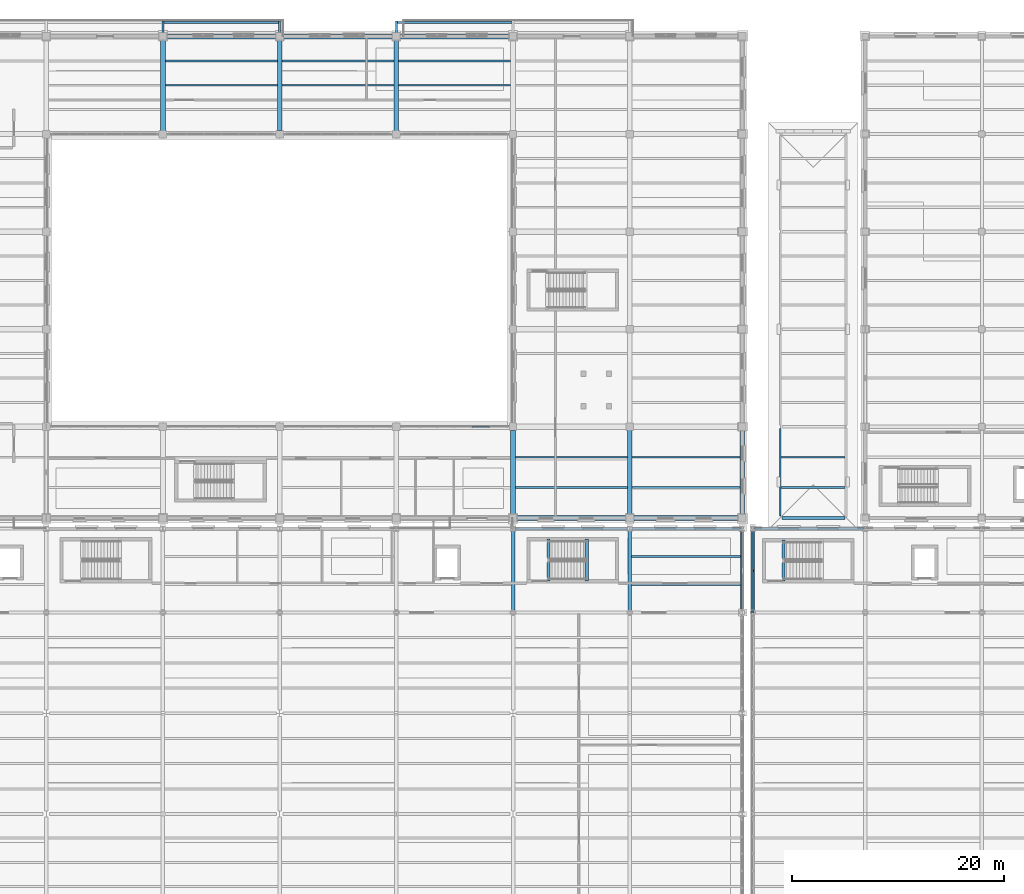
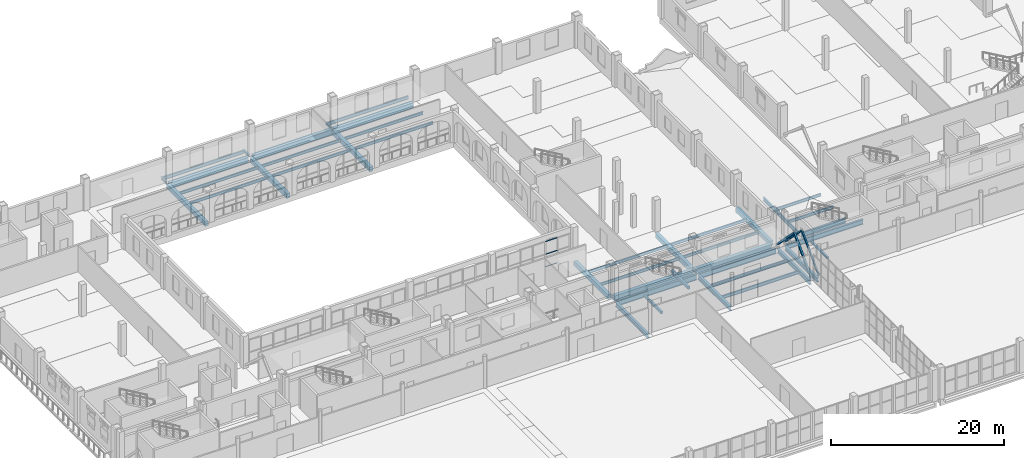
# One storey, part 55 of 156: 42 beams, 7 members, 1 element without a shape of its own.
"""IFC4 building model written with IfcOpenShell, lengths in metres."""

from ifc_helpers import new_model, si_unit, direction, frame, origin, origin_2d, place, context, subcontext, project, spatial, rectangle, hollow_rectangle, i_section, extrude, material, material_profile, profile_set, type_object, element, aggregate, save


model = new_model("IFC4")

# Units and contexts
model_context = context("Model", 3, precision=1e-05, world=origin(), true_north=direction((0.0, 1.0)))
body_context = subcontext(model_context, "Body", "Model", "MODEL_VIEW")
ifc_project = project(units=[si_unit("LENGTHUNIT", "METRE"), si_unit("AREAUNIT", "SQUARE_METRE"), si_unit("VOLUMEUNIT", "CUBIC_METRE"), si_unit("PLANEANGLEUNIT", "RADIAN"), si_unit("MASSUNIT", "GRAM", prefix="KILO")], contexts=[model_context])

# Site, building, storey
site_placement = place(None, origin())
site = spatial("IfcSite", under=ifc_project, at=site_placement, CompositionType="ELEMENT")
building_placement = place(site_placement, origin())
building = spatial("IfcBuilding", under=site, at=building_placement, Name="Caurita Quay Ferry Terminal", CompositionType="ELEMENT")
storey_placement = place(building_placement, frame((0.0, 0.0, 5.39990234375)))
storey = spatial("IfcBuildingStorey", under=building, at=storey_placement, Name="L01", CompositionType="ELEMENT", Elevation=5.39990234375)

# Beams
ifc_material_1 = material(Name="Structural steel ASTM A992 Gr. 50", Category="steel")
ifc_material_profile_1 = material_profile(ifc_material_1, i_section(OverallWidth=0.193115234375, OverallDepth=0.46728515625, WebThickness=0.011474609375, FlangeThickness=0.01904296875, FilletRadius=0.0126953125, at=origin_2d()), Name="W18X65")
ifc_profile_set_1 = profile_set([ifc_material_profile_1], Name="Structural steel ASTM A992 Gr. 50")
beam_type_1 = type_object("IfcBeamType", Name="BM-GR-W18A", PredefinedType="BEAM", material=ifc_profile_set_1)
for number, where, z_axis, x_axis, name in (
    (1, (33.102294921875, 118.320068359375, -0.45361328125), (1.0, 0.0, 0.0), (0.0, 1.0, 0.0), "L01 Balcony Front Edge Beam 04"),
    (2, (55.102294921875, 118.320068359375, -0.45361328125), (1.0, 0.0, 0.0), (0.0, 1.0, 0.0), "L01 Balcony Front Edge Beam 05"),
):
    element("IfcBeam", number, at=place(storey_placement, frame(where, z_axis=z_axis, x_axis=x_axis)), inside=storey, type_object=beam_type_1, Name=name, PredefinedType="BEAM", context=body_context, shape_type="SweptSolid", body=[
        extrude(i_section(OverallWidth=0.193115234375, OverallDepth=0.46728515625, WebThickness=0.011474609375, FlangeThickness=0.01904296875, FilletRadius=0.0126953125, at=origin_2d()), origin(), (0.0, 0.0, 1.0), 10.79541015625),
    ])
ifc_material_profile_2 = material_profile(ifc_material_1, i_section(OverallWidth=0.3251953125, OverallDepth=0.612060546875, WebThickness=0.0126953125, FlangeThickness=0.01904296875, FilletRadius=0.01513671875, at=origin_2d()), Name="W24X104")
ifc_profile_set_2 = profile_set([ifc_material_profile_2], Name="Structural steel ASTM A992 Gr. 50")
beam_type_2 = type_object("IfcBeamType", Name="BM-GR-W24A", PredefinedType="BEAM", material=ifc_profile_set_2)
for number, where, z_axis, x_axis, name in (
    (3, (66.0, 62.916015625, -0.60595703125), (0.0, 1.0, 0.0), (-1.0, 0.0, 0.0), "L01 Beam BM-V1-L01-Y-660-629"),
    (4, (77.0, 62.916015625, -0.60595703125), (0.0, 1.0, 0.0), (-1.0, 0.0, 0.0), "L01 Beam BM-V1-L01-Y-770-629"),
    (5, (87.60009765625, 62.916015625, -0.60595703125), (0.0, 1.0, 0.0), (-1.0, 0.0, 0.0), "L01 Beam BM-V1-L01-Y-876-629"),
    (6, (88.60009765625, 62.916015625, -0.60595703125), (0.0, 1.0, 0.0), (-1.0, 0.0, 0.0), "L01 Beam BM-V2-L01-Y-886-629"),
):
    element("IfcBeam", number, at=place(storey_placement, frame(where, z_axis=z_axis, x_axis=x_axis)), inside=storey, type_object=beam_type_2, Name=name, PredefinedType="BEAM", context=body_context, shape_type="SweptSolid", body=[
        extrude(i_section(OverallWidth=0.3251953125, OverallDepth=0.612060546875, WebThickness=0.0126953125, FlangeThickness=0.01904296875, FilletRadius=0.01513671875, at=origin_2d()), origin(), (0.0, 0.0, 1.0), 7.5166015625),
    ])
ifc_material_profile_3 = material_profile(ifc_material_1, i_section(OverallWidth=0.256591796875, OverallDepth=0.693359375, WebThickness=0.014404296875, FlangeThickness=0.023681640625, FilletRadius=0.017822265625, at=origin_2d()), Name="W27X114")
ifc_profile_set_3 = profile_set([ifc_material_profile_3], Name="Structural steel ASTM A992 Gr. 50")
beam_type_3 = type_object("IfcBeamType", Name="BM-GR-W27A", PredefinedType="BEAM", material=ifc_profile_set_3)
beam_1_placement = place(storey_placement, frame((88.76953125, 70.60009765625, -0.646484375), z_axis=(1.0, 0.0, 0.0), x_axis=(0.0, 1.0, 0.0)))
element("IfcBeam", 7, at=beam_1_placement, inside=storey, type_object=beam_type_3, Name="L01 Beam BM-V2-L01-X-888-706", PredefinedType="BEAM", context=body_context, shape_type="SweptSolid", body=[
    extrude(i_section(OverallWidth=0.256591796875, OverallDepth=0.693359375, WebThickness=0.014404296875, FlangeThickness=0.023681640625, FilletRadius=0.017822265625, at=origin_2d()), origin(), (0.0, 0.0, 1.0), 10.260986328125),
])
ifc_material_profile_4 = material_profile(ifc_material_1, i_section(OverallWidth=0.25390625, OverallDepth=0.68310546875, WebThickness=0.012451171875, FlangeThickness=0.018798828125, at=origin_2d()), Name="W27X94")
ifc_profile_set_4 = profile_set([ifc_material_profile_4], Name="Structural steel ASTM A992 Gr. 50")
beam_type_4 = type_object("IfcBeamType", Name="BM-GR-W27B", PredefinedType="BEAM", material=ifc_profile_set_4)
beam_2_placement = place(storey_placement, frame((91.372802734375, 71.60009765625, -0.491455078125), z_axis=(1.0, 0.0, 0.0), x_axis=(0.0, 1.0, 0.0)))
element("IfcBeam", 8, at=beam_2_placement, inside=storey, type_object=beam_type_4, Name="L01 Beam BM-V6-L01-X-914-716", PredefinedType="BEAM", context=body_context, shape_type="SweptSolid", body=[
    extrude(i_section(OverallWidth=0.25390625, OverallDepth=0.68310546875, WebThickness=0.012451171875, FlangeThickness=0.018798828125, at=origin_2d()), origin(), (0.0, 0.0, 1.0), 5.919189453125),
])
ifc_material_profile_5 = material_profile(ifc_material_1, i_section(OverallWidth=0.2666015625, OverallDepth=0.77978515625, WebThickness=0.0166015625, FlangeThickness=0.030029296875, FilletRadius=0.01904296875, at=origin_2d()), Name="W30X148")
ifc_profile_set_5 = profile_set([ifc_material_profile_5], Name="Structural steel ASTM A992 Gr. 50")
beam_type_5 = type_object("IfcBeamType", Name="BM-GR-W30A", PredefinedType="BEAM", material=ifc_profile_set_5)
beam_3_placement = place(storey_placement, frame((66.16943359375, 70.60009765625, -0.689697265625), z_axis=(1.0, 0.0, 0.0), x_axis=(0.0, 1.0, 0.0)))
element("IfcBeam", 9, at=beam_3_placement, inside=storey, type_object=beam_type_5, Name="L01 Beam BM-V1-L01-X-662-706", PredefinedType="BEAM", context=body_context, shape_type="SweptSolid", body=[
    extrude(i_section(OverallWidth=0.2666015625, OverallDepth=0.77978515625, WebThickness=0.0166015625, FlangeThickness=0.030029296875, FilletRadius=0.01904296875, at=origin_2d()), origin(), (0.0, 0.0, 1.0), 10.6611328125),
])
beam_4_placement = place(storey_placement, frame((77.16943359375, 70.60009765625, -0.689697265625), z_axis=(1.0, 0.0, 0.0), x_axis=(0.0, 1.0, 0.0)))
element("IfcBeam", 10, at=beam_4_placement, inside=storey, type_object=beam_type_5, Name="L01 Beam BM-V1-L01-X-772-706", PredefinedType="BEAM", context=body_context, shape_type="SweptSolid", body=[
    extrude(i_section(OverallWidth=0.2666015625, OverallDepth=0.77978515625, WebThickness=0.0166015625, FlangeThickness=0.030029296875, FilletRadius=0.01904296875, at=origin_2d()), origin(), (0.0, 0.0, 1.0), 10.260986328125),
])
ifc_material_profile_6 = material_profile(ifc_material_1, i_section(OverallWidth=0.1787109375, OverallDepth=0.408935546875, WebThickness=0.0087890625, FlangeThickness=0.014404296875, FilletRadius=0.011474609375, at=origin_2d()), Name="W16X45")
ifc_profile_set_6 = profile_set([ifc_material_profile_6], Name="Structural steel ASTM A992 Gr. 50")
beam_type_6 = type_object("IfcBeamType", Name="BM-JS-W16A", PredefinedType="JOIST", material=ifc_profile_set_6)
for number, where, z_axis, x_axis, name in (
    (11, (33.22509765625, 112.39990234375, -0.42431640625), (1.0, 0.0, 0.0), (0.0, 1.0, 0.0), "L01 Beam JS-V5-L01-030"),
    (12, (33.22509765625, 114.699951171875, -0.42431640625), (1.0, 0.0, 0.0), (0.0, 1.0, 0.0), "L01 Beam JS-V5-L01-031"),
    (13, (44.22509765625, 112.39990234375, -0.42431640625), (1.0, 0.0, 0.0), (0.0, 1.0, 0.0), "L01 Beam JS-V5-L01-035"),
    (14, (44.22509765625, 114.699951171875, -0.42431640625), (1.0, 0.0, 0.0), (0.0, 1.0, 0.0), "L01 Beam JS-V5-L01-036"),
    (15, (55.22509765625, 112.39990234375, -0.42431640625), (1.0, 0.0, 0.0), (0.0, 1.0, 0.0), "L01 Beam JS-V5-L01-040"),
    (16, (55.22509765625, 114.699951171875, -0.42431640625), (1.0, 0.0, 0.0), (0.0, 1.0, 0.0), "L01 Beam JS-V5-L01-041"),
    (17, (66.22509765625, 74.466796875, -0.42431640625), (1.0, 0.0, 0.0), (0.0, 1.0, 0.0), "L01 Beam JS-V5-L01-042"),
    (18, (66.22509765625, 77.333251953125, -0.42431640625), (1.0, 0.0, 0.0), (0.0, 1.0, 0.0), "L01 Beam JS-V5-L01-043"),
):
    element("IfcBeam", number, at=place(storey_placement, frame(where, z_axis=z_axis, x_axis=x_axis)), inside=storey, type_object=beam_type_6, Name=name, PredefinedType="JOIST", context=body_context, shape_type="SweptSolid", body=[
        extrude(i_section(OverallWidth=0.1787109375, OverallDepth=0.408935546875, WebThickness=0.0087890625, FlangeThickness=0.014404296875, FilletRadius=0.011474609375, at=origin_2d()), origin(), (0.0, 0.0, 1.0), 10.5498046875),
    ])
for number, where, z_axis, x_axis, name in (
    (19, (77.22509765625, 74.466796875, -0.42431640625), (1.0, 0.0, 0.0), (0.0, 1.0, 0.0), "L01 Beam JS-V5-L01-052"),
    (20, (77.22509765625, 77.333251953125, -0.42431640625), (1.0, 0.0, 0.0), (0.0, 1.0, 0.0), "L01 Beam JS-V5-L01-053"),
):
    element("IfcBeam", number, at=place(storey_placement, frame(where, z_axis=z_axis, x_axis=x_axis)), inside=storey, type_object=beam_type_6, Name=name, PredefinedType="JOIST", context=body_context, shape_type="SweptSolid", body=[
        extrude(i_section(OverallWidth=0.1787109375, OverallDepth=0.408935546875, WebThickness=0.0087890625, FlangeThickness=0.014404296875, FilletRadius=0.011474609375, at=origin_2d()), origin(), (0.0, 0.0, 1.0), 10.14990234375),
    ])
ifc_material_profile_7 = material_profile(ifc_material_1, i_section(OverallWidth=0.177734375, OverallDepth=0.40380859375, WebThickness=0.007568359375, FlangeThickness=0.010986328125, FilletRadius=0.011474609375, at=origin_2d()), Name="W16X36")
ifc_profile_set_7 = profile_set([ifc_material_profile_7], Name="Structural steel ASTM A992 Gr. 50")
beam_type_7 = type_object("IfcBeamType", Name="BM-JS-W16B", PredefinedType="JOIST", material=ifc_profile_set_7)
for number, where, z_axis, x_axis, name in (
    (21, (91.283203125, 74.466796875, -0.351806640625), (1.0, 0.0, 0.0), (0.0, 1.0, 0.0), "L01 Beam JS-V6-L01-001"),
    (22, (91.283203125, 77.333251953125, -0.351806640625), (1.0, 0.0, 0.0), (0.0, 1.0, 0.0), "L01 Beam JS-V6-L01-002"),
):
    element("IfcBeam", number, at=place(storey_placement, frame(where, z_axis=z_axis, x_axis=x_axis)), inside=storey, type_object=beam_type_7, Name=name, PredefinedType="JOIST", context=body_context, shape_type="SweptSolid", body=[
        extrude(i_section(OverallWidth=0.177734375, OverallDepth=0.40380859375, WebThickness=0.007568359375, FlangeThickness=0.010986328125, FilletRadius=0.011474609375, at=origin_2d()), origin(), (0.0, 0.0, 1.0), 6.033447265625),
    ])
ifc_material_profile_8 = material_profile(ifc_material_1, i_section(OverallWidth=0.1904296875, OverallDepth=0.457275390625, WebThickness=0.009033203125, FlangeThickness=0.014404296875, FilletRadius=0.0126953125, at=origin_2d()), Name="W18X50")
ifc_profile_set_8 = profile_set([ifc_material_profile_8], Name="Structural steel ASTM A992 Gr. 50")
beam_type_8 = type_object("IfcBeamType", Name="BM-JS-W18B", PredefinedType="JOIST", material=ifc_profile_set_8)
for number, where, z_axis, x_axis, name in (
    (23, (77.16259765625, 65.333251953125, -0.528564453125), (1.0, 0.0, 0.0), (0.0, 1.0, 0.0), "L01 Beam JS-V1-L01-079"),
    (24, (77.16259765625, 67.966796875, -0.528564453125), (1.0, 0.0, 0.0), (0.0, 1.0, 0.0), "L01 Beam JS-V1-L01-080"),
):
    element("IfcBeam", number, at=place(storey_placement, frame(where, z_axis=z_axis, x_axis=x_axis)), inside=storey, type_object=beam_type_8, Name=name, PredefinedType="JOIST", context=body_context, shape_type="SweptSolid", body=[
        extrude(i_section(OverallWidth=0.1904296875, OverallDepth=0.457275390625, WebThickness=0.009033203125, FlangeThickness=0.014404296875, FilletRadius=0.0126953125, at=origin_2d()), origin(), (0.0, 0.0, 1.0), 10.27490234375),
    ])
ifc_material_profile_9 = material_profile(ifc_material_1, i_section(OverallWidth=0.20458984375, OverallDepth=0.307373046875, WebThickness=0.008544921875, FlangeThickness=0.0146484375, FilletRadius=0.0126953125, at=origin_2d()), Name="W12X45")
ifc_profile_set_9 = profile_set([ifc_material_profile_9], Name="Structural steel ASTM A992 Gr. 50")
beam_type_9 = type_object("IfcBeamType", Name="BM-OUT-W12", PredefinedType="BEAM", material=ifc_profile_set_9)
for number, where, z_axis, x_axis, name in (
    (25, (33.0, 117.179931640625, -0.37353515625), (0.0, 1.0, 0.0), (-1.0, 0.0, 0.0), "L01 Balcony Outrigger Cantilever 04"),
    (26, (44.0, 117.179931640625, -0.37353515625), (0.0, 1.0, 0.0), (-1.0, 0.0, 0.0), "L01 Balcony Outrigger Cantilever 05"),
    (27, (55.0, 117.179931640625, -0.37353515625), (0.0, 1.0, 0.0), (-1.0, 0.0, 0.0), "L01 Balcony Outrigger Cantilever 06"),
):
    element("IfcBeam", number, at=place(storey_placement, frame(where, z_axis=z_axis, x_axis=x_axis)), inside=storey, type_object=beam_type_9, Name=name, PredefinedType="BEAM", context=body_context, shape_type="SweptSolid", body=[
        extrude(i_section(OverallWidth=0.20458984375, OverallDepth=0.307373046875, WebThickness=0.008544921875, FlangeThickness=0.0146484375, FilletRadius=0.0126953125, at=origin_2d()), origin(), (0.0, 0.0, 1.0), 1.27001953125),
    ])
ifc_material_2 = material(Name="Reinforced concrete C35/45", Category="concrete")
ifc_material_profile_10 = material_profile(ifc_material_2, rectangle(XDim=0.449951171875, YDim=0.64990234375, at=origin_2d()), Name="RC-BM-450X650")
ifc_profile_set_10 = profile_set([ifc_material_profile_10], Name="Reinforced concrete C35/45")
beam_type_10 = type_object("IfcBeamType", Name="BM-RC-4565", PredefinedType="BEAM", material=ifc_profile_set_10)
beam_5_placement = place(storey_placement, frame((33.0, 107.984375, -0.544921875), z_axis=(0.0, 1.0, 0.0), x_axis=(-1.0, 0.0, 0.0)))
element("IfcBeam", 28, at=beam_5_placement, inside=storey, type_object=beam_type_10, Name="L01 Beam BM-V5-L01-Y-330-1080", PredefinedType="BEAM", context=body_context, shape_type="SweptSolid", body=[
    extrude(rectangle(XDim=0.449951171875, YDim=0.64990234375, at=origin_2d()), origin(), (0.0, 0.0, 1.0), 8.831298828125),
])
beam_6_placement = place(storey_placement, frame((44.0, 108.139892578125, -0.544921875), z_axis=(0.0, 1.0, 0.0), x_axis=(-1.0, 0.0, 0.0)))
element("IfcBeam", 29, at=beam_6_placement, inside=storey, type_object=beam_type_10, Name="L01 Beam BM-V5-L01-Y-440-1081", PredefinedType="BEAM", context=body_context, shape_type="SweptSolid", body=[
    extrude(rectangle(XDim=0.449951171875, YDim=0.64990234375, at=origin_2d()), origin(), (0.0, 0.0, 1.0), 8.52001953125),
])
beam_7_placement = place(storey_placement, frame((55.0, 107.984375, -0.544921875), z_axis=(0.0, 1.0, 0.0), x_axis=(-1.0, 0.0, 0.0)))
element("IfcBeam", 30, at=beam_7_placement, inside=storey, type_object=beam_type_10, Name="L01 Beam BM-V5-L01-Y-550-1080", PredefinedType="BEAM", context=body_context, shape_type="SweptSolid", body=[
    extrude(rectangle(XDim=0.449951171875, YDim=0.64990234375, at=origin_2d()), origin(), (0.0, 0.0, 1.0), 8.831298828125),
])
beam_8_placement = place(storey_placement, frame((66.0, 71.93994140625, -0.544921875), z_axis=(0.0, 1.0, 0.0), x_axis=(-1.0, 0.0, 0.0)))
element("IfcBeam", 31, at=beam_8_placement, inside=storey, type_object=beam_type_10, Name="L01 Beam BM-V5-L01-Y-660-719", PredefinedType="BEAM", context=body_context, shape_type="SweptSolid", body=[
    extrude(rectangle(XDim=0.449951171875, YDim=0.64990234375, at=origin_2d()), origin(), (0.0, 0.0, 1.0), 7.920166015625),
])
beam_9_placement = place(storey_placement, frame((77.0, 71.784423828125, -0.544921875), z_axis=(0.0, 1.0, 0.0), x_axis=(-1.0, 0.0, 0.0)))
element("IfcBeam", 32, at=beam_9_placement, inside=storey, type_object=beam_type_10, Name="L01 Beam BM-V5-L01-Y-770-718", PredefinedType="BEAM", context=body_context, shape_type="SweptSolid", body=[
    extrude(rectangle(XDim=0.449951171875, YDim=0.64990234375, at=origin_2d()), origin(), (0.0, 0.0, 1.0), 8.231201171875),
])
beam_10_placement = place(storey_placement, frame((87.60009765625, 71.93994140625, -0.544921875), z_axis=(0.0, 1.0, 0.0), x_axis=(-1.0, 0.0, 0.0)))
element("IfcBeam", 33, at=beam_10_placement, inside=storey, type_object=beam_type_10, Name="L01 Beam BM-V5-L01-Y-876-719", PredefinedType="BEAM", context=body_context, shape_type="SweptSolid", body=[
    extrude(rectangle(XDim=0.449951171875, YDim=0.64990234375, at=origin_2d()), origin(), (0.0, 0.0, 1.0), 7.920166015625),
])
ifc_material_profile_11 = material_profile(ifc_material_2, rectangle(XDim=0.5, YDim=0.75, at=origin_2d()), Name="RC-BM-500X750")
ifc_profile_set_11 = profile_set([ifc_material_profile_11], Name="Reinforced concrete C35/45")
beam_type_11 = type_object("IfcBeamType", Name="BM-RC-5075", PredefinedType="BEAM", material=ifc_profile_set_11)
beam_11_placement = place(storey_placement, frame((66.340087890625, 71.60009765625, -0.594970703125), z_axis=(1.0, 0.0, 0.0), x_axis=(0.0, 1.0, 0.0)))
element("IfcBeam", 34, at=beam_11_placement, inside=storey, type_object=beam_type_11, Name="L01 Beam BM-V5-L01-X-663-716", PredefinedType="BEAM", context=body_context, shape_type="SweptSolid", body=[
    extrude(rectangle(XDim=0.5, YDim=0.75, at=origin_2d()), origin(), (0.0, 0.0, 1.0), 10.485107421875),
])
beam_12_placement = place(storey_placement, frame((77.1748046875, 71.60009765625, -0.594970703125), z_axis=(1.0, 0.0, 0.0), x_axis=(0.0, 1.0, 0.0)))
element("IfcBeam", 35, at=beam_12_placement, inside=storey, type_object=beam_type_11, Name="L01 Beam BM-V5-L01-X-772-716", PredefinedType="BEAM", context=body_context, shape_type="SweptSolid", body=[
    extrude(rectangle(XDim=0.5, YDim=0.75, at=origin_2d()), origin(), (0.0, 0.0, 1.0), 10.085205078125),
])
for number, where, z_axis, x_axis, name in (
    (36, (33.1748046875, 117.0, -0.594970703125), (1.0, 0.0, 0.0), (0.0, 1.0, 0.0), "L01 Beam BM-V5-L01-X-332-1170"),
    (37, (44.340087890625, 117.0, -0.594970703125), (1.0, 0.0, 0.0), (0.0, 1.0, 0.0), "L01 Beam BM-V5-L01-X-443-1170"),
    (38, (55.1748046875, 117.0, -0.594970703125), (1.0, 0.0, 0.0), (0.0, 1.0, 0.0), "L01 Beam BM-V5-L01-X-552-1170"),
):
    element("IfcBeam", number, at=place(storey_placement, frame(where, z_axis=z_axis, x_axis=x_axis)), inside=storey, type_object=beam_type_11, Name=name, PredefinedType="BEAM", context=body_context, shape_type="SweptSolid", body=[
        extrude(rectangle(XDim=0.5, YDim=0.75, at=origin_2d()), origin(), (0.0, 0.0, 1.0), 10.485107421875),
    ])
ifc_material_profile_12 = material_profile(ifc_material_1, i_section(OverallWidth=0.16650390625, OverallDepth=0.535888671875, WebThickness=0.01025390625, FlangeThickness=0.0166015625, FilletRadius=0.013916015625, at=origin_2d()), Name="W21X57")
ifc_profile_set_12 = profile_set([ifc_material_profile_12], Name="Structural steel ASTM A992 Gr. 50")
beam_type_12 = type_object("IfcBeamType", Name="BM-SP-W21B", PredefinedType="SPANDREL", material=ifc_profile_set_12)
beam_13_placement = place(storey_placement, frame((91.199951171875, 71.772705078125, -0.417724609375), z_axis=(0.0, 1.0, 0.0), x_axis=(-1.0, 0.0, 0.0)))
element("IfcBeam", 39, at=beam_13_placement, inside=storey, type_object=beam_type_12, Name="L01 Beam BM-V6-L01-Y-912-718", PredefinedType="SPANDREL", context=body_context, shape_type="SweptSolid", body=[
    extrude(i_section(OverallWidth=0.16650390625, OverallDepth=0.535888671875, WebThickness=0.01025390625, FlangeThickness=0.0166015625, FilletRadius=0.013916015625, at=origin_2d()), origin(), (0.0, 0.0, 1.0), 8.254638671875),
])

# Curtain wall, members
ifc_material_3 = material(Name="Laminated solar-control insulated glass", Category="glass")
curtain_wall_type = type_object("IfcCurtainWallType", Name="CW-SYS-23", PredefinedType="NOTDEFINED", material=ifc_material_3)
curtain_wall_placement = place(storey_placement, origin())
curtain_wall = element("IfcCurtainWall", 40, at=curtain_wall_placement, inside=storey, type_object=curtain_wall_type, Name="L01 Courtyard Cloister Storefront 159", PredefinedType="NOTDEFINED")
ifc_material_4 = material(Name="Anodized aluminium 6063-T6", Category="aluminium")
ifc_material_profile_13 = material_profile(ifc_material_4, hollow_rectangle(XDim=0.06005859375, YDim=0.114990234375, WallThickness=0.00341796875, at=origin_2d()), Name="ALU-TRN-60X115")
ifc_profile_set_13 = profile_set([ifc_material_profile_13], Name="Anodized aluminium 6063-T6")
member_type_1 = type_object("IfcMemberType", Name="CW-TRN-115", PredefinedType="USERDEFINED", material=ifc_profile_set_13)
member_1_placement = place(storey_placement, frame((62.177978515625, 80.199951171875, 0.030029296875), z_axis=(1.0, 0.0, 0.0), x_axis=(0.0, 1.0, 0.0)))
member_1 = element("IfcMember", 41, at=member_1_placement, type_object=member_type_1, Name="CW-CRT-159 Transom 13", ObjectType="TRANSOM", PredefinedType="USERDEFINED", context=body_context, shape_type="SweptSolid", body=[
    extrude(hollow_rectangle(XDim=0.06005859375, YDim=0.114990234375, WallThickness=0.00341796875, at=origin_2d()), origin(), (0.0, 0.0, 1.0), 1.593994140625),
])
member_2_placement = place(storey_placement, frame((62.177978515625, 80.199951171875, 1.800048828125), z_axis=(1.0, 0.0, 0.0), x_axis=(0.0, 1.0, 0.0)))
member_2 = element("IfcMember", 42, at=member_2_placement, type_object=member_type_1, Name="CW-CRT-159 Transom 14", ObjectType="TRANSOM", PredefinedType="USERDEFINED", context=body_context, shape_type="SweptSolid", body=[
    extrude(hollow_rectangle(XDim=0.06005859375, YDim=0.114990234375, WallThickness=0.00341796875, at=origin_2d()), origin(), (0.0, 0.0, 1.0), 1.593994140625),
])
member_3_placement = place(storey_placement, frame((62.177978515625, 80.199951171875, 3.570068359375), z_axis=(1.0, 0.0, 0.0), x_axis=(0.0, 1.0, 0.0)))
member_3 = element("IfcMember", 43, at=member_3_placement, type_object=member_type_1, Name="CW-CRT-159 Transom 15", ObjectType="TRANSOM", PredefinedType="USERDEFINED", context=body_context, shape_type="SweptSolid", body=[
    extrude(hollow_rectangle(XDim=0.06005859375, YDim=0.114990234375, WallThickness=0.00341796875, at=origin_2d()), origin(), (0.0, 0.0, 1.0), 1.593994140625),
])
aggregate(curtain_wall, [member_1, member_2, member_3])

# Beams
ifc_material_profile_14 = material_profile(ifc_material_2, rectangle(XDim=0.25, YDim=0.300048828125, at=origin_2d()), Name="RC-LN-250X300")
ifc_profile_set_14 = profile_set([ifc_material_profile_14], Name="Reinforced concrete C35/45")
beam_type_13 = type_object("IfcBeamType", Name="LN-RC-2530", PredefinedType="LINTEL", material=ifc_profile_set_14)
beam_14_placement = place(storey_placement, frame((69.35009765625, 65.64990234375, -0.14990234375), z_axis=(0.0, 1.0, 0.0), x_axis=(-1.0, 0.0, 0.0)))
element("IfcBeam", 44, at=beam_14_placement, inside=storey, type_object=beam_type_13, Name="L01 Stair ST-07 Landing Trimmer Beam", PredefinedType="LINTEL", context=body_context, shape_type="SweptSolid", body=[
    extrude(rectangle(XDim=0.25, YDim=0.300048828125, at=origin_2d()), origin(), (0.0, 0.0, 1.0), 3.960205078125),
])
beam_15_placement = place(storey_placement, frame((91.5, 65.64990234375, -0.14990234375), z_axis=(0.0, 1.0, 0.0), x_axis=(-1.0, 0.0, 0.0)))
element("IfcBeam", 45, at=beam_15_placement, inside=storey, type_object=beam_type_13, Name="L01 Stair ST-08 Landing Trimmer Beam", PredefinedType="LINTEL", context=body_context, shape_type="SweptSolid", body=[
    extrude(rectangle(XDim=0.25, YDim=0.300048828125, at=origin_2d()), origin(), (0.0, 0.0, 1.0), 3.860107421875),
])
ifc_material_profile_15 = material_profile(ifc_material_2, rectangle(XDim=0.300048828125, YDim=0.35009765625, at=origin_2d()), Name="RC-LN-300X350")
ifc_profile_set_15 = profile_set([ifc_material_profile_15], Name="Reinforced concrete C35/45")
beam_type_14 = type_object("IfcBeamType", Name="LN-RC-3035", PredefinedType="LINTEL", material=ifc_profile_set_15)
beam_16_placement = place(storey_placement, frame((72.949951171875, 65.64990234375, 2.0751953125), z_axis=(0.0, 1.0, 0.0), x_axis=(-1.0, 0.0, 0.0)))
element("IfcBeam", 46, at=beam_16_placement, inside=storey, type_object=beam_type_14, Name="L01 Stair ST-07 Half-Landing Beam 1", PredefinedType="LINTEL", context=body_context, shape_type="SweptSolid", body=[
    extrude(rectangle(XDim=0.300048828125, YDim=0.35009765625, at=origin_2d()), origin(), (0.0, 0.0, 1.0), 3.960205078125),
])

# Members
ifc_material_5 = material(Name="Hollow structural steel ASTM A500 Gr. C", Category="steel")
ifc_material_profile_16 = material_profile(ifc_material_5, hollow_rectangle(XDim=0.203125, YDim=0.203125, WallThickness=0.0087890625, InnerFilletRadius=0.0087890625, OuterFilletRadius=0.017822265625, at=origin_2d()), Name="HSS8X8X3/8")
ifc_profile_set_16 = profile_set([ifc_material_profile_16], Name="Hollow structural steel ASTM A500 Gr. C")
member_type_2 = type_object("IfcMemberType", Name="MEM-BRC-08", PredefinedType="BRACE", material=ifc_profile_set_16)
member_4_placement = place(storey_placement, frame((88.60009765625, 62.699951171875, 0.1201171875), z_axis=(0.0, 0.701751624873, 0.71242168481), x_axis=(-1.0, 0.0, 0.0)))
element("IfcMember", 47, at=member_4_placement, inside=storey, type_object=member_type_2, Name="L01 Chevron Seismic Brace 13A", PredefinedType="BRACE", context=body_context, shape_type="SweptSolid", body=[
    extrude(hollow_rectangle(XDim=0.203125, YDim=0.203125, WallThickness=0.0087890625, InnerFilletRadius=0.0087890625, OuterFilletRadius=0.017822265625, at=origin_2d()), origin(), (0.0, 0.0, 1.0), 5.628662109375),
])
member_5_placement = place(storey_placement, frame((88.60009765625, 70.60009765625, 0.1201171875), z_axis=(0.0, -0.701773638226, 0.712400000485), x_axis=(1.0, 0.0, 0.0)))
element("IfcMember", 48, at=member_5_placement, inside=storey, type_object=member_type_2, Name="L01 Chevron Seismic Brace 13B", PredefinedType="BRACE", context=body_context, shape_type="SweptSolid", body=[
    extrude(hollow_rectangle(XDim=0.203125, YDim=0.203125, WallThickness=0.0087890625, InnerFilletRadius=0.0087890625, OuterFilletRadius=0.017822265625, at=origin_2d()), origin(), (0.0, 0.0, 1.0), 5.62890625),
])
ifc_material_profile_17 = material_profile(ifc_material_5, hollow_rectangle(XDim=0.25390625, YDim=0.25390625, WallThickness=0.01171875, InnerFilletRadius=0.01171875, OuterFilletRadius=0.023681640625, at=origin_2d()), Name="HSS10X10X1/2")
ifc_profile_set_17 = profile_set([ifc_material_profile_17], Name="Hollow structural steel ASTM A500 Gr. C")
member_type_3 = type_object("IfcMemberType", Name="MEM-BRC-10", PredefinedType="BRACE", material=ifc_profile_set_17)
member_6_placement = place(storey_placement, frame((87.60009765625, 62.699951171875, 0.1201171875), z_axis=(0.0, 0.701751624873, 0.71242168481), x_axis=(-1.0, 0.0, 0.0)))
element("IfcMember", 49, at=member_6_placement, inside=storey, type_object=member_type_3, Name="L01 Chevron Seismic Brace 12A", PredefinedType="BRACE", context=body_context, shape_type="SweptSolid", body=[
    extrude(hollow_rectangle(XDim=0.25390625, YDim=0.25390625, WallThickness=0.01171875, InnerFilletRadius=0.01171875, OuterFilletRadius=0.023681640625, at=origin_2d()), origin(), (0.0, 0.0, 1.0), 5.628662109375),
])
member_7_placement = place(storey_placement, frame((87.60009765625, 70.60009765625, 0.1201171875), z_axis=(0.0, -0.701773638226, 0.712400000485), x_axis=(1.0, 0.0, 0.0)))
element("IfcMember", 50, at=member_7_placement, inside=storey, type_object=member_type_3, Name="L01 Chevron Seismic Brace 12B", PredefinedType="BRACE", context=body_context, shape_type="SweptSolid", body=[
    extrude(hollow_rectangle(XDim=0.25390625, YDim=0.25390625, WallThickness=0.01171875, InnerFilletRadius=0.01171875, OuterFilletRadius=0.023681640625, at=origin_2d()), origin(), (0.0, 0.0, 1.0), 5.62890625),
])

save(model, "model.ifc")
